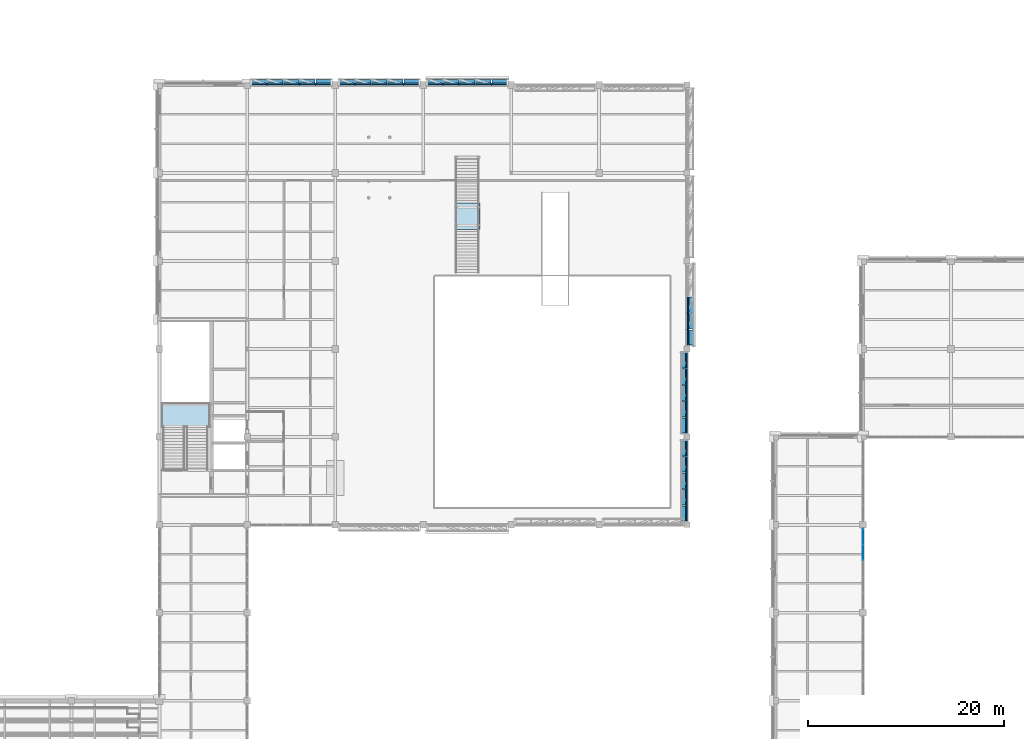
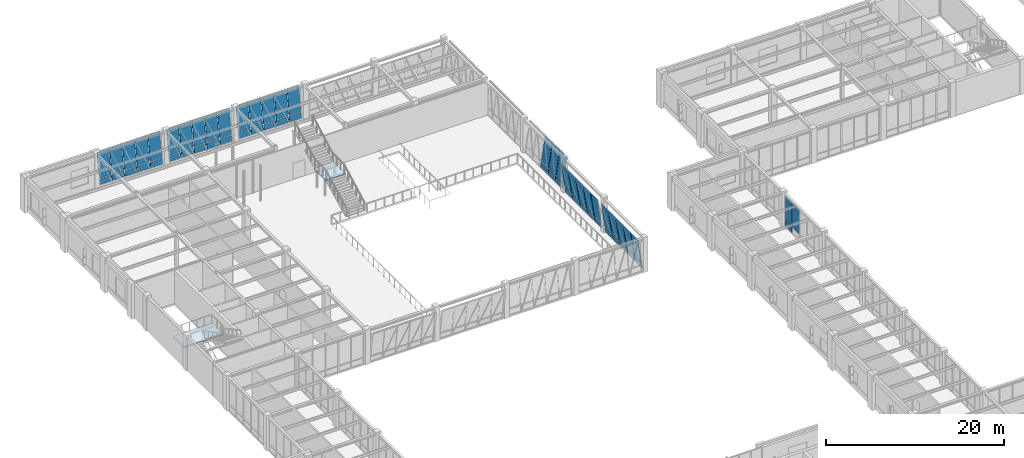
# One storey, part 71 of 98: 59 plates, 2 slabs, 9 elements without a shape of their own.
"""IFC4 building model written with IfcOpenShell, lengths in metres."""

from ifc_helpers import new_model, si_unit, direction, frame, origin, origin_2d, place, context, subcontext, project, spatial, polyline, rectangle, outline, extrude, material, layer, layer_set, type_object, element, aggregate, save


model = new_model("IFC4")

# Units and contexts
model_context = context("Model", 3, precision=1e-05, world=origin(), true_north=direction((0.0, 1.0)))
body_context = subcontext(model_context, "Body", "Model", "MODEL_VIEW")
ifc_project = project(units=[si_unit("LENGTHUNIT", "METRE"), si_unit("AREAUNIT", "SQUARE_METRE"), si_unit("VOLUMEUNIT", "CUBIC_METRE"), si_unit("PLANEANGLEUNIT", "RADIAN"), si_unit("MASSUNIT", "GRAM", prefix="KILO")], contexts=[model_context])

# Site, building, storey
site_placement = place(None, origin())
site = spatial("IfcSite", under=ifc_project, at=site_placement, CompositionType="ELEMENT")
building_placement = place(site_placement, origin())
building = spatial("IfcBuilding", under=site, at=building_placement, Name="Lykobir Media Centre", CompositionType="ELEMENT")
storey_placement = place(building_placement, frame((0.0, 0.0, 10.199951171875)))
storey = spatial("IfcBuildingStorey", under=building, at=storey_placement, Name="L02", CompositionType="ELEMENT", Elevation=10.199951171875)

# Curtain wall, plates
ifc_material_1 = material(Name="Anodized Aluminium AW-6060", Category="aluminium")
curtain_wall_type_1 = type_object("IfcCurtainWallType", Name="CW-COURT-A", PredefinedType="NOTDEFINED", material=ifc_material_1)
curtain_wall_1_placement = place(storey_placement, origin())
curtain_wall_1 = element("IfcCurtainWall", 1, at=curtain_wall_1_placement, inside=storey, type_object=curtain_wall_type_1, Name="Curtain wall CW2-L02-0106", PredefinedType="NOTDEFINED")
ifc_material_2 = material(Name="Low-E Laminated Triple Glazing", Category="glass")
ifc_layer_1 = layer(ifc_material_2, 0.0380859375, Name="Low-E Laminated Triple Glazing")
ifc_layer_set_1 = layer_set([ifc_layer_1], Name="Low-E Laminated Triple Glazing")
plate_type_1 = type_object("IfcPlateType", Name="CWP-GLZ-38", PredefinedType="CURTAIN_PANEL", material=ifc_layer_set_1)
plate_1_placement = place(storey_placement, frame((99.0, 61.7998046875, 0.882568359375), z_axis=(0.0, 0.0, 1.0), x_axis=(0.0, -1.0, 0.0)))
plate_1 = element("IfcPlate", 2, at=plate_1_placement, type_object=plate_type_1, Name="CW2-L02-0106 panel 1.2", PredefinedType="CURTAIN_PANEL", context=body_context, shape_type="SweptSolid", body=[
    extrude(rectangle(XDim=1.560546875, YDim=0.0380859375, at=origin_2d()), origin(), (0.0, 0.0, 1.0), 3.267578125),
])
plate_2_placement = place(storey_placement, frame((99.0, 60.157958984375, 0.882568359375), z_axis=(0.0, 0.0, 1.0), x_axis=(0.0, -1.0, 0.0)))
plate_2 = element("IfcPlate", 3, at=plate_2_placement, type_object=plate_type_1, Name="CW2-L02-0106 panel 2.2", PredefinedType="CURTAIN_PANEL", context=body_context, shape_type="SweptSolid", body=[
    extrude(rectangle(XDim=1.593017578125, YDim=0.0380859375, at=origin_2d()), origin(), (0.0, 0.0, 1.0), 3.267578125),
])

curtain_wall_type_2 = type_object("IfcCurtainWallType", Name="CW-V6-CR2", PredefinedType="NOTDEFINED", material=ifc_material_1)
curtain_wall_2_placement = place(storey_placement, origin())
curtain_wall_2 = element("IfcCurtainWall", 4, at=curtain_wall_2_placement, inside=storey, type_object=curtain_wall_type_2, Name="Curtain wall CW2-L02-0087", PredefinedType="NOTDEFINED")
ifc_layer_2 = layer(ifc_material_2, 0.0439453125, Name="Low-E Laminated Triple Glazing")
ifc_layer_set_2 = layer_set([ifc_layer_2], Name="Low-E Laminated Triple Glazing")
plate_type_2 = type_object("IfcPlateType", Name="CWP-GLZ-44", PredefinedType="CURTAIN_PANEL", material=ifc_layer_set_2)
plate_3_placement = place(storey_placement, frame((80.873291015625, 70.837158203125, 0.87841796875), z_axis=(-0.142628933706, 0.0, 0.989776230908), x_axis=(0.0, -1.0, 0.0)))
plate_3 = element("IfcPlate", 5, at=plate_3_placement, type_object=plate_type_2, Name="CW2-L02-0087 panel 1.2", PredefinedType="CURTAIN_PANEL", context=body_context, shape_type="SweptSolid", body=[
    extrude(rectangle(XDim=1.5654296875, YDim=0.0439453125, at=origin_2d()), origin(), (0.0, 0.0, 1.0), 3.316162109375),
])
plate_4_placement = place(storey_placement, frame((80.873291015625, 69.177978515625, 0.87841796875), z_axis=(-0.142628933706, 0.0, 0.989776230908), x_axis=(0.0, -1.0, 0.0)))
plate_4 = element("IfcPlate", 6, at=plate_4_placement, type_object=plate_type_2, Name="CW2-L02-0087 panel 2.2", PredefinedType="CURTAIN_PANEL", context=body_context, shape_type="SweptSolid", body=[
    extrude(rectangle(XDim=1.60302734375, YDim=0.0439453125, at=origin_2d()), origin(), (0.0, 0.0, 1.0), 3.316162109375),
])
plate_5_placement = place(storey_placement, frame((80.873291015625, 67.5, 0.87841796875), z_axis=(-0.142628933706, 0.0, 0.989776230908), x_axis=(0.0, -1.0, 0.0)))
plate_5 = element("IfcPlate", 7, at=plate_5_placement, type_object=plate_type_2, Name="CW2-L02-0087 panel 3.2", PredefinedType="CURTAIN_PANEL", context=body_context, shape_type="SweptSolid", body=[
    extrude(rectangle(XDim=1.60302734375, YDim=0.0439453125, at=origin_2d()), origin(), (0.0, 0.0, 1.0), 3.316162109375),
])
plate_6_placement = place(storey_placement, frame((80.873291015625, 65.822021484375, 0.87841796875), z_axis=(-0.142628933706, 0.0, 0.989776230908), x_axis=(0.0, -1.0, 0.0)))
plate_6 = element("IfcPlate", 8, at=plate_6_placement, type_object=plate_type_2, Name="CW2-L02-0087 panel 4.2", PredefinedType="CURTAIN_PANEL", context=body_context, shape_type="SweptSolid", body=[
    extrude(rectangle(XDim=1.60302734375, YDim=0.0439453125, at=origin_2d()), origin(), (0.0, 0.0, 1.0), 3.316162109375),
])
plate_7_placement = place(storey_placement, frame((80.873291015625, 64.162841796875, 0.87841796875), z_axis=(-0.142628933706, 0.0, 0.989776230908), x_axis=(0.0, -1.0, 0.0)))
plate_7 = element("IfcPlate", 9, at=plate_7_placement, type_object=plate_type_2, Name="CW2-L02-0087 panel 5.2", PredefinedType="CURTAIN_PANEL", context=body_context, shape_type="SweptSolid", body=[
    extrude(rectangle(XDim=1.5654296875, YDim=0.0439453125, at=origin_2d()), origin(), (0.0, 0.0, 1.0), 3.316162109375),
])

curtain_wall_3_placement = place(storey_placement, origin())
curtain_wall_3 = element("IfcCurtainWall", 10, at=curtain_wall_3_placement, inside=storey, type_object=curtain_wall_type_2, Name="Curtain wall CW2-L02-0088", PredefinedType="NOTDEFINED")
plate_8_placement = place(storey_placement, frame((80.873291015625, 79.837158203125, 0.87841796875), z_axis=(-0.142628933706, 0.0, 0.989776230908), x_axis=(0.0, -1.0, 0.0)))
plate_8 = element("IfcPlate", 11, at=plate_8_placement, type_object=plate_type_2, Name="CW2-L02-0088 panel 1.2", PredefinedType="CURTAIN_PANEL", context=body_context, shape_type="SweptSolid", body=[
    extrude(rectangle(XDim=1.5654296875, YDim=0.0439453125, at=origin_2d()), origin(), (0.0, 0.0, 1.0), 3.316162109375),
])
plate_9_placement = place(storey_placement, frame((80.873291015625, 78.177978515625, 0.87841796875), z_axis=(-0.142628933706, 0.0, 0.989776230908), x_axis=(0.0, -1.0, 0.0)))
plate_9 = element("IfcPlate", 12, at=plate_9_placement, type_object=plate_type_2, Name="CW2-L02-0088 panel 2.2", PredefinedType="CURTAIN_PANEL", context=body_context, shape_type="SweptSolid", body=[
    extrude(rectangle(XDim=1.60302734375, YDim=0.0439453125, at=origin_2d()), origin(), (0.0, 0.0, 1.0), 3.316162109375),
])
plate_10_placement = place(storey_placement, frame((80.873291015625, 76.5, 0.87841796875), z_axis=(-0.142628933706, 0.0, 0.989776230908), x_axis=(0.0, -1.0, 0.0)))
plate_10 = element("IfcPlate", 13, at=plate_10_placement, type_object=plate_type_2, Name="CW2-L02-0088 panel 3.2", PredefinedType="CURTAIN_PANEL", context=body_context, shape_type="SweptSolid", body=[
    extrude(rectangle(XDim=1.60302734375, YDim=0.0439453125, at=origin_2d()), origin(), (0.0, 0.0, 1.0), 3.316162109375),
])
plate_11_placement = place(storey_placement, frame((80.873291015625, 74.822021484375, 0.87841796875), z_axis=(-0.142628933706, 0.0, 0.989776230908), x_axis=(0.0, -1.0, 0.0)))
plate_11 = element("IfcPlate", 14, at=plate_11_placement, type_object=plate_type_2, Name="CW2-L02-0088 panel 4.2", PredefinedType="CURTAIN_PANEL", context=body_context, shape_type="SweptSolid", body=[
    extrude(rectangle(XDim=1.60302734375, YDim=0.0439453125, at=origin_2d()), origin(), (0.0, 0.0, 1.0), 3.316162109375),
])
plate_12_placement = place(storey_placement, frame((80.873291015625, 73.162841796875, 0.87841796875), z_axis=(-0.142628933706, 0.0, 0.989776230908), x_axis=(0.0, -1.0, 0.0)))
plate_12 = element("IfcPlate", 15, at=plate_12_placement, type_object=plate_type_2, Name="CW2-L02-0088 panel 5.2", PredefinedType="CURTAIN_PANEL", context=body_context, shape_type="SweptSolid", body=[
    extrude(rectangle(XDim=1.5654296875, YDim=0.0439453125, at=origin_2d()), origin(), (0.0, 0.0, 1.0), 3.316162109375),
])

curtain_wall_4_placement = place(storey_placement, origin())
curtain_wall_4 = element("IfcCurtainWall", 16, at=curtain_wall_4_placement, inside=storey, type_object=curtain_wall_type_2, Name="Curtain wall CW2-L02-0089", PredefinedType="NOTDEFINED")
plate_13_placement = place(storey_placement, frame((81.126708984375, 82.162841796875, 0.87841796875), z_axis=(0.142628933706, 0.0, 0.989776230908), x_axis=(0.0, 1.0, 0.0)))
plate_13 = element("IfcPlate", 17, at=plate_13_placement, type_object=plate_type_2, Name="CW2-L02-0089 panel 1.2", PredefinedType="CURTAIN_PANEL", context=body_context, shape_type="SweptSolid", body=[
    extrude(rectangle(XDim=1.5654296875, YDim=0.0439453125, at=origin_2d()), origin(), (0.0, 0.0, 1.0), 3.316162109375),
])
plate_14_placement = place(storey_placement, frame((81.126708984375, 83.822021484375, 0.87841796875), z_axis=(0.142628933706, 0.0, 0.989776230908), x_axis=(0.0, 1.0, 0.0)))
plate_14 = element("IfcPlate", 18, at=plate_14_placement, type_object=plate_type_2, Name="CW2-L02-0089 panel 2.2", PredefinedType="CURTAIN_PANEL", context=body_context, shape_type="SweptSolid", body=[
    extrude(rectangle(XDim=1.60302734375, YDim=0.0439453125, at=origin_2d()), origin(), (0.0, 0.0, 1.0), 3.316162109375),
])
plate_15_placement = place(storey_placement, frame((81.126708984375, 85.5, 0.87841796875), z_axis=(0.142628933706, 0.0, 0.989776230908), x_axis=(0.0, 1.0, 0.0)))
plate_15 = element("IfcPlate", 19, at=plate_15_placement, type_object=plate_type_2, Name="CW2-L02-0089 panel 3.2", PredefinedType="CURTAIN_PANEL", context=body_context, shape_type="SweptSolid", body=[
    extrude(rectangle(XDim=1.60302734375, YDim=0.0439453125, at=origin_2d()), origin(), (0.0, 0.0, 1.0), 3.316162109375),
])

curtain_wall_5_placement = place(storey_placement, origin())
curtain_wall_5 = element("IfcCurtainWall", 20, at=curtain_wall_5_placement, inside=storey, type_object=curtain_wall_type_2, Name="Curtain wall CW2-L02-0092", PredefinedType="NOTDEFINED")
plate_16_placement = place(storey_placement, frame((43.79736328125, 108.126708984375, 0.87841796875), z_axis=(0.0, 0.142628933706, 0.989776230908), x_axis=(-1.0, 0.0, 0.0)))
plate_16 = element("IfcPlate", 21, at=plate_16_placement, type_object=plate_type_2, Name="CW2-L02-0092 panel 1.2", PredefinedType="CURTAIN_PANEL", context=body_context, shape_type="SweptSolid", body=[
    extrude(rectangle(XDim=1.54541015625, YDim=0.0439453125, at=origin_2d()), origin(), (0.0, 0.0, 1.0), 3.316162109375),
])
plate_17_placement = place(storey_placement, frame((42.157958984375, 108.126708984375, 0.87841796875), z_axis=(0.0, 0.142628933706, 0.989776230908), x_axis=(-1.0, 0.0, 0.0)))
plate_17 = element("IfcPlate", 22, at=plate_17_placement, type_object=plate_type_2, Name="CW2-L02-0092 panel 2.2", PredefinedType="CURTAIN_PANEL", context=body_context, shape_type="SweptSolid", body=[
    extrude(rectangle(XDim=1.5830078125, YDim=0.0439453125, at=origin_2d()), origin(), (0.0, 0.0, 1.0), 3.316162109375),
])
plate_18_placement = place(storey_placement, frame((40.5, 108.126708984375, 0.87841796875), z_axis=(0.0, 0.142628933706, 0.989776230908), x_axis=(-1.0, 0.0, 0.0)))
plate_18 = element("IfcPlate", 23, at=plate_18_placement, type_object=plate_type_2, Name="CW2-L02-0092 panel 3.2", PredefinedType="CURTAIN_PANEL", context=body_context, shape_type="SweptSolid", body=[
    extrude(rectangle(XDim=1.5830078125, YDim=0.0439453125, at=origin_2d()), origin(), (0.0, 0.0, 1.0), 3.316162109375),
])
plate_19_placement = place(storey_placement, frame((38.842041015625, 108.126708984375, 0.87841796875), z_axis=(0.0, 0.142628933706, 0.989776230908), x_axis=(-1.0, 0.0, 0.0)))
plate_19 = element("IfcPlate", 24, at=plate_19_placement, type_object=plate_type_2, Name="CW2-L02-0092 panel 4.2", PredefinedType="CURTAIN_PANEL", context=body_context, shape_type="SweptSolid", body=[
    extrude(rectangle(XDim=1.5830078125, YDim=0.0439453125, at=origin_2d()), origin(), (0.0, 0.0, 1.0), 3.316162109375),
])
plate_20_placement = place(storey_placement, frame((37.20263671875, 108.126708984375, 0.87841796875), z_axis=(0.0, 0.142628933706, 0.989776230908), x_axis=(-1.0, 0.0, 0.0)))
plate_20 = element("IfcPlate", 25, at=plate_20_placement, type_object=plate_type_2, Name="CW2-L02-0092 panel 5.2", PredefinedType="CURTAIN_PANEL", context=body_context, shape_type="SweptSolid", body=[
    extrude(rectangle(XDim=1.54541015625, YDim=0.0439453125, at=origin_2d()), origin(), (0.0, 0.0, 1.0), 3.316162109375),
])

curtain_wall_6_placement = place(storey_placement, origin())
curtain_wall_6 = element("IfcCurtainWall", 26, at=curtain_wall_6_placement, inside=storey, type_object=curtain_wall_type_2, Name="Curtain wall CW2-L02-0093", PredefinedType="NOTDEFINED")
plate_21_placement = place(storey_placement, frame((52.79736328125, 108.126708984375, 0.87841796875), z_axis=(0.0, 0.142628933706, 0.989776230908), x_axis=(-1.0, 0.0, 0.0)))
plate_21 = element("IfcPlate", 27, at=plate_21_placement, type_object=plate_type_2, Name="CW2-L02-0093 panel 1.2", PredefinedType="CURTAIN_PANEL", context=body_context, shape_type="SweptSolid", body=[
    extrude(rectangle(XDim=1.54541015625, YDim=0.0439453125, at=origin_2d()), origin(), (0.0, 0.0, 1.0), 3.316162109375),
])
plate_22_placement = place(storey_placement, frame((51.157958984375, 108.126708984375, 0.87841796875), z_axis=(0.0, 0.142628933706, 0.989776230908), x_axis=(-1.0, 0.0, 0.0)))
plate_22 = element("IfcPlate", 28, at=plate_22_placement, type_object=plate_type_2, Name="CW2-L02-0093 panel 2.2", PredefinedType="CURTAIN_PANEL", context=body_context, shape_type="SweptSolid", body=[
    extrude(rectangle(XDim=1.5830078125, YDim=0.0439453125, at=origin_2d()), origin(), (0.0, 0.0, 1.0), 3.316162109375),
])
plate_23_placement = place(storey_placement, frame((49.5, 108.126708984375, 0.87841796875), z_axis=(0.0, 0.142628933706, 0.989776230908), x_axis=(-1.0, 0.0, 0.0)))
plate_23 = element("IfcPlate", 29, at=plate_23_placement, type_object=plate_type_2, Name="CW2-L02-0093 panel 3.2", PredefinedType="CURTAIN_PANEL", context=body_context, shape_type="SweptSolid", body=[
    extrude(rectangle(XDim=1.5830078125, YDim=0.0439453125, at=origin_2d()), origin(), (0.0, 0.0, 1.0), 3.316162109375),
])
plate_24_placement = place(storey_placement, frame((47.842041015625, 108.126708984375, 0.87841796875), z_axis=(0.0, 0.142628933706, 0.989776230908), x_axis=(-1.0, 0.0, 0.0)))
plate_24 = element("IfcPlate", 30, at=plate_24_placement, type_object=plate_type_2, Name="CW2-L02-0093 panel 4.2", PredefinedType="CURTAIN_PANEL", context=body_context, shape_type="SweptSolid", body=[
    extrude(rectangle(XDim=1.5830078125, YDim=0.0439453125, at=origin_2d()), origin(), (0.0, 0.0, 1.0), 3.316162109375),
])
plate_25_placement = place(storey_placement, frame((46.20263671875, 108.126708984375, 0.87841796875), z_axis=(0.0, 0.142628933706, 0.989776230908), x_axis=(-1.0, 0.0, 0.0)))
plate_25 = element("IfcPlate", 31, at=plate_25_placement, type_object=plate_type_2, Name="CW2-L02-0093 panel 5.2", PredefinedType="CURTAIN_PANEL", context=body_context, shape_type="SweptSolid", body=[
    extrude(rectangle(XDim=1.54541015625, YDim=0.0439453125, at=origin_2d()), origin(), (0.0, 0.0, 1.0), 3.316162109375),
])

curtain_wall_7_placement = place(storey_placement, origin())
curtain_wall_7 = element("IfcCurtainWall", 32, at=curtain_wall_7_placement, inside=storey, type_object=curtain_wall_type_2, Name="Curtain wall CW2-L02-0094", PredefinedType="NOTDEFINED")
plate_26_placement = place(storey_placement, frame((61.79736328125, 108.126708984375, 0.87841796875), z_axis=(0.0, 0.142628933706, 0.989776230908), x_axis=(-1.0, 0.0, 0.0)))
plate_26 = element("IfcPlate", 33, at=plate_26_placement, type_object=plate_type_2, Name="CW2-L02-0094 panel 1.2", PredefinedType="CURTAIN_PANEL", context=body_context, shape_type="SweptSolid", body=[
    extrude(rectangle(XDim=1.54541015625, YDim=0.0439453125, at=origin_2d()), origin(), (0.0, 0.0, 1.0), 3.316162109375),
])
plate_27_placement = place(storey_placement, frame((60.157958984375, 108.126708984375, 0.87841796875), z_axis=(0.0, 0.142628933706, 0.989776230908), x_axis=(-1.0, 0.0, 0.0)))
plate_27 = element("IfcPlate", 34, at=plate_27_placement, type_object=plate_type_2, Name="CW2-L02-0094 panel 2.2", PredefinedType="CURTAIN_PANEL", context=body_context, shape_type="SweptSolid", body=[
    extrude(rectangle(XDim=1.5830078125, YDim=0.0439453125, at=origin_2d()), origin(), (0.0, 0.0, 1.0), 3.316162109375),
])
plate_28_placement = place(storey_placement, frame((58.5, 108.126708984375, 0.87841796875), z_axis=(0.0, 0.142628933706, 0.989776230908), x_axis=(-1.0, 0.0, 0.0)))
plate_28 = element("IfcPlate", 35, at=plate_28_placement, type_object=plate_type_2, Name="CW2-L02-0094 panel 3.2", PredefinedType="CURTAIN_PANEL", context=body_context, shape_type="SweptSolid", body=[
    extrude(rectangle(XDim=1.5830078125, YDim=0.0439453125, at=origin_2d()), origin(), (0.0, 0.0, 1.0), 3.316162109375),
])
plate_29_placement = place(storey_placement, frame((56.842041015625, 108.126708984375, 0.87841796875), z_axis=(0.0, 0.142628933706, 0.989776230908), x_axis=(-1.0, 0.0, 0.0)))
plate_29 = element("IfcPlate", 36, at=plate_29_placement, type_object=plate_type_2, Name="CW2-L02-0094 panel 4.2", PredefinedType="CURTAIN_PANEL", context=body_context, shape_type="SweptSolid", body=[
    extrude(rectangle(XDim=1.5830078125, YDim=0.0439453125, at=origin_2d()), origin(), (0.0, 0.0, 1.0), 3.316162109375),
])
plate_30_placement = place(storey_placement, frame((55.20263671875, 108.126708984375, 0.87841796875), z_axis=(0.0, 0.142628933706, 0.989776230908), x_axis=(-1.0, 0.0, 0.0)))
plate_30 = element("IfcPlate", 37, at=plate_30_placement, type_object=plate_type_2, Name="CW2-L02-0094 panel 5.2", PredefinedType="CURTAIN_PANEL", context=body_context, shape_type="SweptSolid", body=[
    extrude(rectangle(XDim=1.54541015625, YDim=0.0439453125, at=origin_2d()), origin(), (0.0, 0.0, 1.0), 3.316162109375),
])

# Plate
ifc_material_3 = material(Name="Pre-Weathered Titanium-Zinc", Category="metal")
ifc_layer_3 = layer(ifc_material_3, 0.052001953125, Name="Pre-Weathered Titanium-Zinc")
ifc_layer_set_3 = layer_set([ifc_layer_3], Name="Pre-Weathered Titanium-Zinc")
plate_type_3 = type_object("IfcPlateType", Name="CWP-SPN-52", PredefinedType="CURTAIN_PANEL", material=ifc_layer_set_3)
plate_31_placement = place(storey_placement, frame((80.9892578125, 70.837158203125, 0.07421875), z_axis=(-0.142628933706, 0.0, 0.989776230908), x_axis=(0.0, -1.0, 0.0)))
plate_31 = element("IfcPlate", 38, at=plate_31_placement, type_object=plate_type_3, Name="CW2-L02-0087 panel 1.1", PredefinedType="CURTAIN_PANEL", context=body_context, shape_type="SweptSolid", body=[
    extrude(rectangle(XDim=1.5654296875, YDim=0.052001953125, at=origin_2d()), origin(), (0.0, 0.0, 1.0), 0.737548828125),
])

plate_32_placement = place(storey_placement, frame((80.9892578125, 69.177978515625, 0.07421875), z_axis=(-0.142628933706, 0.0, 0.989776230908), x_axis=(0.0, -1.0, 0.0)))
plate_32 = element("IfcPlate", 39, at=plate_32_placement, type_object=plate_type_3, Name="CW2-L02-0087 panel 2.1", PredefinedType="CURTAIN_PANEL", context=body_context, shape_type="SweptSolid", body=[
    extrude(rectangle(XDim=1.60302734375, YDim=0.052001953125, at=origin_2d()), origin(), (0.0, 0.0, 1.0), 0.737548828125),
])

plate_33_placement = place(storey_placement, frame((80.9892578125, 67.5, 0.07421875), z_axis=(-0.142628933706, 0.0, 0.989776230908), x_axis=(0.0, -1.0, 0.0)))
plate_33 = element("IfcPlate", 40, at=plate_33_placement, type_object=plate_type_3, Name="CW2-L02-0087 panel 3.1", PredefinedType="CURTAIN_PANEL", context=body_context, shape_type="SweptSolid", body=[
    extrude(rectangle(XDim=1.60302734375, YDim=0.052001953125, at=origin_2d()), origin(), (0.0, 0.0, 1.0), 0.737548828125),
])

plate_34_placement = place(storey_placement, frame((80.9892578125, 65.822021484375, 0.07421875), z_axis=(-0.142628933706, 0.0, 0.989776230908), x_axis=(0.0, -1.0, 0.0)))
plate_34 = element("IfcPlate", 41, at=plate_34_placement, type_object=plate_type_3, Name="CW2-L02-0087 panel 4.1", PredefinedType="CURTAIN_PANEL", context=body_context, shape_type="SweptSolid", body=[
    extrude(rectangle(XDim=1.60302734375, YDim=0.052001953125, at=origin_2d()), origin(), (0.0, 0.0, 1.0), 0.737548828125),
])

plate_35_placement = place(storey_placement, frame((80.9892578125, 64.162841796875, 0.07421875), z_axis=(-0.142628933706, 0.0, 0.989776230908), x_axis=(0.0, -1.0, 0.0)))
plate_35 = element("IfcPlate", 42, at=plate_35_placement, type_object=plate_type_3, Name="CW2-L02-0087 panel 5.1", PredefinedType="CURTAIN_PANEL", context=body_context, shape_type="SweptSolid", body=[
    extrude(rectangle(XDim=1.5654296875, YDim=0.052001953125, at=origin_2d()), origin(), (0.0, 0.0, 1.0), 0.737548828125),
])

aggregate(curtain_wall_2, [plate_31, plate_3, plate_32, plate_4, plate_33, plate_5, plate_34, plate_6, plate_35, plate_7])

plate_36_placement = place(storey_placement, frame((80.9892578125, 79.837158203125, 0.07421875), z_axis=(-0.142628933706, 0.0, 0.989776230908), x_axis=(0.0, -1.0, 0.0)))
plate_36 = element("IfcPlate", 43, at=plate_36_placement, type_object=plate_type_3, Name="CW2-L02-0088 panel 1.1", PredefinedType="CURTAIN_PANEL", context=body_context, shape_type="SweptSolid", body=[
    extrude(rectangle(XDim=1.5654296875, YDim=0.052001953125, at=origin_2d()), origin(), (0.0, 0.0, 1.0), 0.737548828125),
])

plate_37_placement = place(storey_placement, frame((80.9892578125, 78.177978515625, 0.07421875), z_axis=(-0.142628933706, 0.0, 0.989776230908), x_axis=(0.0, -1.0, 0.0)))
plate_37 = element("IfcPlate", 44, at=plate_37_placement, type_object=plate_type_3, Name="CW2-L02-0088 panel 2.1", PredefinedType="CURTAIN_PANEL", context=body_context, shape_type="SweptSolid", body=[
    extrude(rectangle(XDim=1.60302734375, YDim=0.052001953125, at=origin_2d()), origin(), (0.0, 0.0, 1.0), 0.737548828125),
])

plate_38_placement = place(storey_placement, frame((80.9892578125, 76.5, 0.07421875), z_axis=(-0.142628933706, 0.0, 0.989776230908), x_axis=(0.0, -1.0, 0.0)))
plate_38 = element("IfcPlate", 45, at=plate_38_placement, type_object=plate_type_3, Name="CW2-L02-0088 panel 3.1", PredefinedType="CURTAIN_PANEL", context=body_context, shape_type="SweptSolid", body=[
    extrude(rectangle(XDim=1.60302734375, YDim=0.052001953125, at=origin_2d()), origin(), (0.0, 0.0, 1.0), 0.737548828125),
])

plate_39_placement = place(storey_placement, frame((80.9892578125, 74.822021484375, 0.07421875), z_axis=(-0.142628933706, 0.0, 0.989776230908), x_axis=(0.0, -1.0, 0.0)))
plate_39 = element("IfcPlate", 46, at=plate_39_placement, type_object=plate_type_3, Name="CW2-L02-0088 panel 4.1", PredefinedType="CURTAIN_PANEL", context=body_context, shape_type="SweptSolid", body=[
    extrude(rectangle(XDim=1.60302734375, YDim=0.052001953125, at=origin_2d()), origin(), (0.0, 0.0, 1.0), 0.737548828125),
])

plate_40_placement = place(storey_placement, frame((80.9892578125, 73.162841796875, 0.07421875), z_axis=(-0.142628933706, 0.0, 0.989776230908), x_axis=(0.0, -1.0, 0.0)))
plate_40 = element("IfcPlate", 47, at=plate_40_placement, type_object=plate_type_3, Name="CW2-L02-0088 panel 5.1", PredefinedType="CURTAIN_PANEL", context=body_context, shape_type="SweptSolid", body=[
    extrude(rectangle(XDim=1.5654296875, YDim=0.052001953125, at=origin_2d()), origin(), (0.0, 0.0, 1.0), 0.737548828125),
])

aggregate(curtain_wall_3, [plate_36, plate_8, plate_37, plate_9, plate_38, plate_10, plate_39, plate_11, plate_40, plate_12])

ifc_material_4 = material(Name="Glazed Turquoise Terracotta", Category="masonry")
ifc_layer_4 = layer(ifc_material_4, 0.06005859375, Name="Glazed Turquoise Terracotta")
ifc_layer_set_4 = layer_set([ifc_layer_4], Name="Glazed Turquoise Terracotta")
plate_type_4 = type_object("IfcPlateType", Name="CWP-SPN-60", PredefinedType="CURTAIN_PANEL", material=ifc_layer_set_4)
plate_41_placement = place(storey_placement, frame((81.0107421875, 82.162841796875, 0.07421875), z_axis=(0.142628933706, 0.0, 0.989776230908), x_axis=(0.0, 1.0, 0.0)))
plate_41 = element("IfcPlate", 48, at=plate_41_placement, type_object=plate_type_4, Name="CW2-L02-0089 panel 1.1", PredefinedType="CURTAIN_PANEL", context=body_context, shape_type="SweptSolid", body=[
    extrude(rectangle(XDim=1.5654296875, YDim=0.06005859375, at=origin_2d()), origin(), (0.0, 0.0, 1.0), 0.737548828125),
])

plate_42_placement = place(storey_placement, frame((81.0107421875, 83.822021484375, 0.07421875), z_axis=(0.142628933706, 0.0, 0.989776230908), x_axis=(0.0, 1.0, 0.0)))
plate_42 = element("IfcPlate", 49, at=plate_42_placement, type_object=plate_type_4, Name="CW2-L02-0089 panel 2.1", PredefinedType="CURTAIN_PANEL", context=body_context, shape_type="SweptSolid", body=[
    extrude(rectangle(XDim=1.60302734375, YDim=0.06005859375, at=origin_2d()), origin(), (0.0, 0.0, 1.0), 0.737548828125),
])

plate_43_placement = place(storey_placement, frame((81.0107421875, 85.5, 0.07421875), z_axis=(0.142628933706, 0.0, 0.989776230908), x_axis=(0.0, 1.0, 0.0)))
plate_43 = element("IfcPlate", 50, at=plate_43_placement, type_object=plate_type_4, Name="CW2-L02-0089 panel 3.1", PredefinedType="CURTAIN_PANEL", context=body_context, shape_type="SweptSolid", body=[
    extrude(rectangle(XDim=1.60302734375, YDim=0.06005859375, at=origin_2d()), origin(), (0.0, 0.0, 1.0), 0.737548828125),
])

aggregate(curtain_wall_4, [plate_41, plate_13, plate_42, plate_14, plate_43, plate_15])

plate_44_placement = place(storey_placement, frame((43.79736328125, 108.0107421875, 0.07421875), z_axis=(0.0, 0.142628933706, 0.989776230908), x_axis=(-1.0, 0.0, 0.0)))
plate_44 = element("IfcPlate", 51, at=plate_44_placement, type_object=plate_type_4, Name="CW2-L02-0092 panel 1.1", PredefinedType="CURTAIN_PANEL", context=body_context, shape_type="SweptSolid", body=[
    extrude(rectangle(XDim=1.54541015625, YDim=0.06005859375, at=origin_2d()), origin(), (0.0, 0.0, 1.0), 0.737548828125),
])

plate_45_placement = place(storey_placement, frame((42.157958984375, 108.0107421875, 0.07421875), z_axis=(0.0, 0.142628933706, 0.989776230908), x_axis=(-1.0, 0.0, 0.0)))
plate_45 = element("IfcPlate", 52, at=plate_45_placement, type_object=plate_type_4, Name="CW2-L02-0092 panel 2.1", PredefinedType="CURTAIN_PANEL", context=body_context, shape_type="SweptSolid", body=[
    extrude(rectangle(XDim=1.5830078125, YDim=0.06005859375, at=origin_2d()), origin(), (0.0, 0.0, 1.0), 0.737548828125),
])

plate_46_placement = place(storey_placement, frame((40.5, 108.0107421875, 0.07421875), z_axis=(0.0, 0.142628933706, 0.989776230908), x_axis=(-1.0, 0.0, 0.0)))
plate_46 = element("IfcPlate", 53, at=plate_46_placement, type_object=plate_type_4, Name="CW2-L02-0092 panel 3.1", PredefinedType="CURTAIN_PANEL", context=body_context, shape_type="SweptSolid", body=[
    extrude(rectangle(XDim=1.5830078125, YDim=0.06005859375, at=origin_2d()), origin(), (0.0, 0.0, 1.0), 0.737548828125),
])

plate_47_placement = place(storey_placement, frame((38.842041015625, 108.0107421875, 0.07421875), z_axis=(0.0, 0.142628933706, 0.989776230908), x_axis=(-1.0, 0.0, 0.0)))
plate_47 = element("IfcPlate", 54, at=plate_47_placement, type_object=plate_type_4, Name="CW2-L02-0092 panel 4.1", PredefinedType="CURTAIN_PANEL", context=body_context, shape_type="SweptSolid", body=[
    extrude(rectangle(XDim=1.5830078125, YDim=0.06005859375, at=origin_2d()), origin(), (0.0, 0.0, 1.0), 0.737548828125),
])

plate_48_placement = place(storey_placement, frame((37.20263671875, 108.0107421875, 0.07421875), z_axis=(0.0, 0.142628933706, 0.989776230908), x_axis=(-1.0, 0.0, 0.0)))
plate_48 = element("IfcPlate", 55, at=plate_48_placement, type_object=plate_type_4, Name="CW2-L02-0092 panel 5.1", PredefinedType="CURTAIN_PANEL", context=body_context, shape_type="SweptSolid", body=[
    extrude(rectangle(XDim=1.54541015625, YDim=0.06005859375, at=origin_2d()), origin(), (0.0, 0.0, 1.0), 0.737548828125),
])

aggregate(curtain_wall_5, [plate_44, plate_16, plate_45, plate_17, plate_46, plate_18, plate_47, plate_19, plate_48, plate_20])

plate_49_placement = place(storey_placement, frame((52.79736328125, 108.0107421875, 0.07421875), z_axis=(0.0, 0.142628933706, 0.989776230908), x_axis=(-1.0, 0.0, 0.0)))
plate_49 = element("IfcPlate", 56, at=plate_49_placement, type_object=plate_type_4, Name="CW2-L02-0093 panel 1.1", PredefinedType="CURTAIN_PANEL", context=body_context, shape_type="SweptSolid", body=[
    extrude(rectangle(XDim=1.54541015625, YDim=0.06005859375, at=origin_2d()), origin(), (0.0, 0.0, 1.0), 0.737548828125),
])

plate_50_placement = place(storey_placement, frame((51.157958984375, 108.0107421875, 0.07421875), z_axis=(0.0, 0.142628933706, 0.989776230908), x_axis=(-1.0, 0.0, 0.0)))
plate_50 = element("IfcPlate", 57, at=plate_50_placement, type_object=plate_type_4, Name="CW2-L02-0093 panel 2.1", PredefinedType="CURTAIN_PANEL", context=body_context, shape_type="SweptSolid", body=[
    extrude(rectangle(XDim=1.5830078125, YDim=0.06005859375, at=origin_2d()), origin(), (0.0, 0.0, 1.0), 0.737548828125),
])

plate_51_placement = place(storey_placement, frame((49.5, 108.0107421875, 0.07421875), z_axis=(0.0, 0.142628933706, 0.989776230908), x_axis=(-1.0, 0.0, 0.0)))
plate_51 = element("IfcPlate", 58, at=plate_51_placement, type_object=plate_type_4, Name="CW2-L02-0093 panel 3.1", PredefinedType="CURTAIN_PANEL", context=body_context, shape_type="SweptSolid", body=[
    extrude(rectangle(XDim=1.5830078125, YDim=0.06005859375, at=origin_2d()), origin(), (0.0, 0.0, 1.0), 0.737548828125),
])

plate_52_placement = place(storey_placement, frame((47.842041015625, 108.0107421875, 0.07421875), z_axis=(0.0, 0.142628933706, 0.989776230908), x_axis=(-1.0, 0.0, 0.0)))
plate_52 = element("IfcPlate", 59, at=plate_52_placement, type_object=plate_type_4, Name="CW2-L02-0093 panel 4.1", PredefinedType="CURTAIN_PANEL", context=body_context, shape_type="SweptSolid", body=[
    extrude(rectangle(XDim=1.5830078125, YDim=0.06005859375, at=origin_2d()), origin(), (0.0, 0.0, 1.0), 0.737548828125),
])

plate_53_placement = place(storey_placement, frame((46.20263671875, 108.0107421875, 0.07421875), z_axis=(0.0, 0.142628933706, 0.989776230908), x_axis=(-1.0, 0.0, 0.0)))
plate_53 = element("IfcPlate", 60, at=plate_53_placement, type_object=plate_type_4, Name="CW2-L02-0093 panel 5.1", PredefinedType="CURTAIN_PANEL", context=body_context, shape_type="SweptSolid", body=[
    extrude(rectangle(XDim=1.54541015625, YDim=0.06005859375, at=origin_2d()), origin(), (0.0, 0.0, 1.0), 0.737548828125),
])

aggregate(curtain_wall_6, [plate_49, plate_21, plate_50, plate_22, plate_51, plate_23, plate_52, plate_24, plate_53, plate_25])

plate_54_placement = place(storey_placement, frame((61.79736328125, 108.0107421875, 0.07421875), z_axis=(0.0, 0.142628933706, 0.989776230908), x_axis=(-1.0, 0.0, 0.0)))
plate_54 = element("IfcPlate", 61, at=plate_54_placement, type_object=plate_type_4, Name="CW2-L02-0094 panel 1.1", PredefinedType="CURTAIN_PANEL", context=body_context, shape_type="SweptSolid", body=[
    extrude(rectangle(XDim=1.54541015625, YDim=0.06005859375, at=origin_2d()), origin(), (0.0, 0.0, 1.0), 0.737548828125),
])

plate_55_placement = place(storey_placement, frame((60.157958984375, 108.0107421875, 0.07421875), z_axis=(0.0, 0.142628933706, 0.989776230908), x_axis=(-1.0, 0.0, 0.0)))
plate_55 = element("IfcPlate", 62, at=plate_55_placement, type_object=plate_type_4, Name="CW2-L02-0094 panel 2.1", PredefinedType="CURTAIN_PANEL", context=body_context, shape_type="SweptSolid", body=[
    extrude(rectangle(XDim=1.5830078125, YDim=0.06005859375, at=origin_2d()), origin(), (0.0, 0.0, 1.0), 0.737548828125),
])

plate_56_placement = place(storey_placement, frame((58.5, 108.0107421875, 0.07421875), z_axis=(0.0, 0.142628933706, 0.989776230908), x_axis=(-1.0, 0.0, 0.0)))
plate_56 = element("IfcPlate", 63, at=plate_56_placement, type_object=plate_type_4, Name="CW2-L02-0094 panel 3.1", PredefinedType="CURTAIN_PANEL", context=body_context, shape_type="SweptSolid", body=[
    extrude(rectangle(XDim=1.5830078125, YDim=0.06005859375, at=origin_2d()), origin(), (0.0, 0.0, 1.0), 0.737548828125),
])

plate_57_placement = place(storey_placement, frame((56.842041015625, 108.0107421875, 0.07421875), z_axis=(0.0, 0.142628933706, 0.989776230908), x_axis=(-1.0, 0.0, 0.0)))
plate_57 = element("IfcPlate", 64, at=plate_57_placement, type_object=plate_type_4, Name="CW2-L02-0094 panel 4.1", PredefinedType="CURTAIN_PANEL", context=body_context, shape_type="SweptSolid", body=[
    extrude(rectangle(XDim=1.5830078125, YDim=0.06005859375, at=origin_2d()), origin(), (0.0, 0.0, 1.0), 0.737548828125),
])

plate_58_placement = place(storey_placement, frame((55.20263671875, 108.0107421875, 0.07421875), z_axis=(0.0, 0.142628933706, 0.989776230908), x_axis=(-1.0, 0.0, 0.0)))
plate_58 = element("IfcPlate", 65, at=plate_58_placement, type_object=plate_type_4, Name="CW2-L02-0094 panel 5.1", PredefinedType="CURTAIN_PANEL", context=body_context, shape_type="SweptSolid", body=[
    extrude(rectangle(XDim=1.54541015625, YDim=0.06005859375, at=origin_2d()), origin(), (0.0, 0.0, 1.0), 0.737548828125),
])

aggregate(curtain_wall_7, [plate_54, plate_26, plate_55, plate_27, plate_56, plate_28, plate_57, plate_29, plate_58, plate_30])

plate_59_placement = place(storey_placement, frame((99.0, 61.7998046875, 0.06494140625), z_axis=(0.0, 0.0, 1.0), x_axis=(0.0, -1.0, 0.0)))
plate_59 = element("IfcPlate", 66, at=plate_59_placement, type_object=plate_type_4, Name="CW2-L02-0106 panel 1.1", PredefinedType="CURTAIN_PANEL", context=body_context, shape_type="SweptSolid", body=[
    extrude(rectangle(XDim=1.560546875, YDim=0.06005859375, at=origin_2d()), origin(), (0.0, 0.0, 1.0), 0.75244140625),
])

aggregate(curtain_wall_1, [plate_59, plate_1, plate_2])

# Stair, slab
ifc_material_5 = material(Name="Concrete C30/37", Category="concrete")
stair_type_1 = type_object("IfcStairType", Name="ST-HT-480", PredefinedType="HALF_TURN_STAIR", material=ifc_material_5)
stair_1_placement = place(storey_placement, origin())
stair_1 = element("IfcStair", 67, at=stair_1_placement, inside=storey, type_object=stair_type_1, Name="Escape stair ST-3 L02", PredefinedType="HALF_TURN_STAIR")
ifc_layer_5 = layer(ifc_material_5, 0.195068359375, Name="Concrete C30/37")
ifc_layer_set_5 = layer_set([ifc_layer_5], Name="Concrete C30/37")
slab_type_1 = type_object("IfcSlabType", Name="SL-195", PredefinedType="LANDING", material=ifc_layer_set_5)
slab_1_placement = place(storey_placement, frame((0.0, 0.0, 2.205078125)))
slab_1 = element("IfcSlab", 68, at=slab_1_placement, type_object=slab_type_1, Name="ST-3-L02 landing 1", PredefinedType="LANDING", context=body_context, shape_type="SweptSolid", body=[
    extrude(outline(polyline([(27.1298828125, 72.949951171875), (32.27001953125, 72.949951171875), (32.27001953125, 75.429931640625), (27.1298828125, 75.429931640625), (27.1298828125, 72.949951171875)])), origin(), (0.0, 0.0, 1.0), 0.195068359375),
])
aggregate(stair_1, [slab_1])

stair_type_2 = type_object("IfcStairType", Name="ST-VAL-3", PredefinedType="STRAIGHT_RUN_STAIR", material=ifc_material_5)
stair_2_placement = place(storey_placement, origin())
stair_2 = element("IfcStair", 69, at=stair_2_placement, inside=storey, type_object=stair_type_2, Name="Valley terrace feature stair 3", PredefinedType="STRAIGHT_RUN_STAIR")
ifc_layer_6 = layer(ifc_material_5, 0.205078125, Name="Concrete C30/37")
ifc_layer_set_6 = layer_set([ifc_layer_6], Name="Concrete C30/37")
slab_type_2 = type_object("IfcSlabType", Name="SL-205", PredefinedType="LANDING", material=ifc_layer_set_6)
slab_2_placement = place(storey_placement, frame((0.0, 0.0, 2.195068359375)))
slab_2 = element("IfcSlab", 70, at=slab_2_placement, type_object=slab_type_2, Name="ST-VAL-3 landing 1", PredefinedType="LANDING", context=body_context, shape_type="SweptSolid", body=[
    extrude(outline(polyline([(57.199951171875, 93.219970703125), (59.800048828125, 93.219970703125), (59.800048828125, 95.929931640625), (57.199951171875, 95.929931640625), (57.199951171875, 93.219970703125)])), origin(), (0.0, 0.0, 1.0), 0.205078125),
])
aggregate(stair_2, [slab_2])

save(model, "model.ifc")
